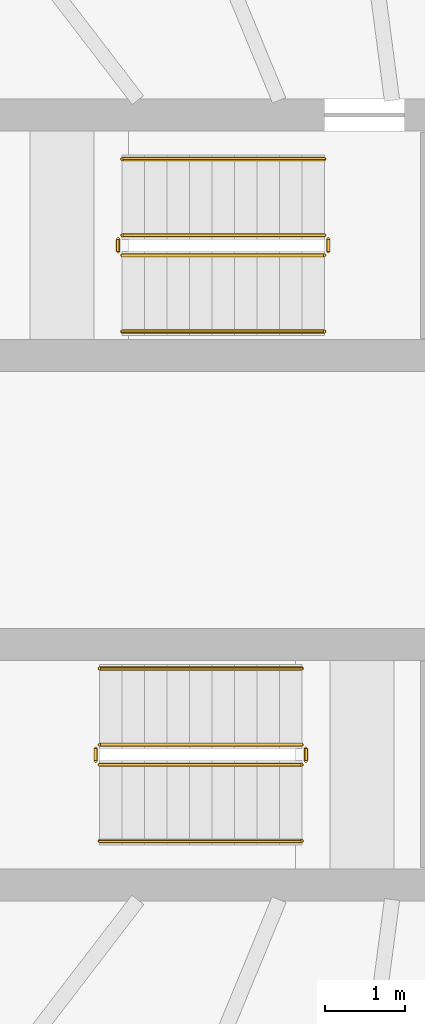
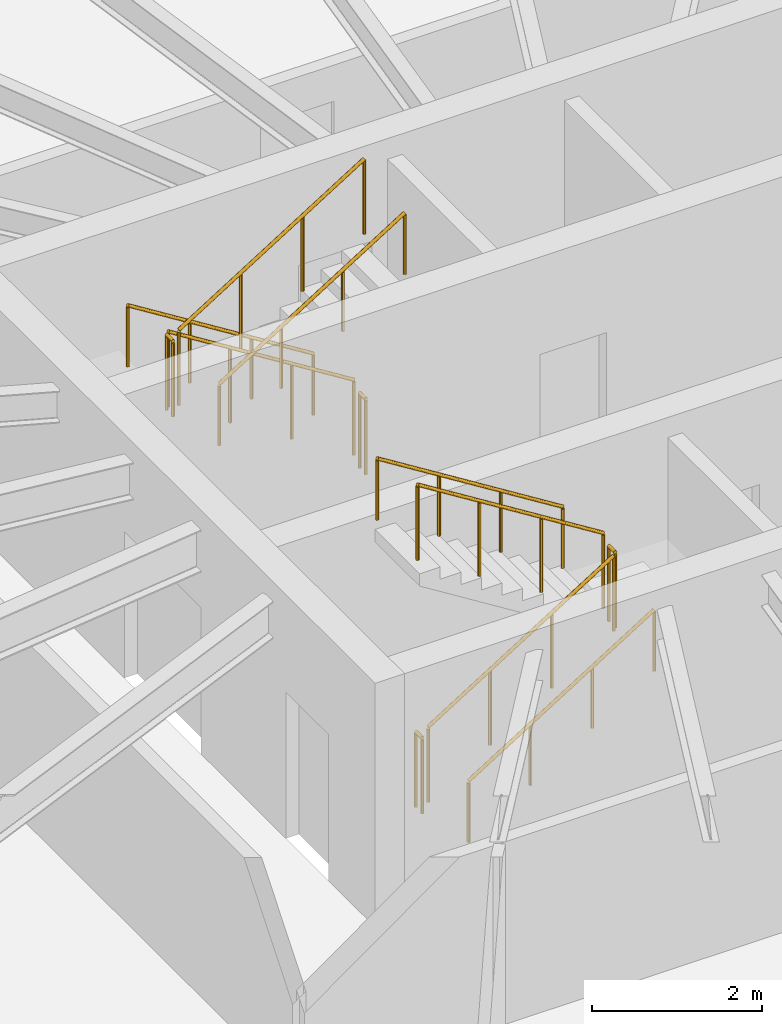
# One storey, part 9 of 9: 12 railings.
"""IFC4 building model written with IfcOpenShell, lengths in metres."""

from ifc_helpers import new_model, si_unit, direction, frame, origin, origin_2d, place, context, subcontext, project, spatial, circle, extrude, material, type_object, element, save


model = new_model("IFC4")

# Units and contexts
model_context = context("Model", 3, precision=1e-05, world=origin(), true_north=direction((0.0, 1.0)))
body_context = subcontext(model_context, "Body", "Model", "MODEL_VIEW")
ifc_project = project(units=[si_unit("LENGTHUNIT", "METRE"), si_unit("AREAUNIT", "SQUARE_METRE"), si_unit("VOLUMEUNIT", "CUBIC_METRE"), si_unit("PLANEANGLEUNIT", "RADIAN"), si_unit("MASSUNIT", "GRAM", prefix="KILO")], contexts=[model_context])

# Site, building, storey
site_placement = place(None, origin())
site = spatial("IfcSite", under=ifc_project, at=site_placement, CompositionType="ELEMENT")
building_placement = place(site_placement, origin())
building = spatial("IfcBuilding", under=site, at=building_placement, Name="Spindrift Exchange Tower", CompositionType="ELEMENT")
storey_placement = place(building_placement, frame((0.0, 0.0, 273.10009765625)))
storey = spatial("IfcBuildingStorey", under=building, at=storey_placement, Name="L67", CompositionType="ELEMENT", Elevation=273.10009765625)

# Railings
ifc_material_1 = material(Name="Steel balustrade", Category="steel")
railing_type_1 = type_object("IfcRailingType", Name="RL-STAIR-GUARD", PredefinedType="GUARDRAIL", material=ifc_material_1)
railing_1_placement = place(storey_placement, frame((50.5, 51.300048828125, 0.1748046875)))
element("IfcRailing", 1, at=railing_1_placement, inside=storey, type_object=railing_type_1, Name="L67 ST3 stair guard 1", PredefinedType="GUARDRAIL", context=body_context, shape_type="SweptSolid", body=[
    extrude(circle(Radius=0.02392578125, at=origin_2d()), frame((0.0, 0.0, 1.076171875), z_axis=(-0.847970611238, 0.0, 0.530043245855), x_axis=(0.0, -1.0, 0.0)), (0.0, 0.0, 1.0), 2.971923828125),
    extrude(circle(Radius=0.02099609375, at=origin_2d()), origin(), (0.0, 0.0, 1.0), 1.052001953125),
    extrude(circle(Radius=0.02099609375, at=origin_2d()), frame((-0.840087890625, 0.0, 0.525146484375)), (0.0, 0.0, 1.0), 1.052001953125),
    extrude(circle(Radius=0.02099609375, at=origin_2d()), frame((-1.679931640625, 0.0, 1.050048828125)), (0.0, 0.0, 1.0), 1.052001953125),
    extrude(circle(Radius=0.02099609375, at=origin_2d()), frame((-2.52001953125, 0.0, 1.5751953125)), (0.0, 0.0, 1.0), 1.052001953125),
])
railing_2_placement = place(storey_placement, frame((47.929931640625, 51.25, 1.75)))
element("IfcRailing", 2, at=railing_2_placement, inside=storey, type_object=railing_type_1, Name="L67 ST3 stair guard 2", PredefinedType="GUARDRAIL", context=body_context, shape_type="SweptSolid", body=[
    extrude(circle(Radius=0.02392578125, at=origin_2d()), frame((0.0, 0.0, 1.076171875), z_axis=(0.0, -1.0, 0.0), x_axis=(1.0, 0.0, 0.0)), (0.0, 0.0, 1.0), 0.14990234375),
    extrude(circle(Radius=0.02099609375, at=origin_2d()), origin(), (0.0, 0.0, 1.0), 1.052001953125),
    extrude(circle(Radius=0.02099609375, at=origin_2d()), frame((0.0, -0.14990234375, 0.0)), (0.0, 0.0, 1.0), 1.052001953125),
])
railing_3_placement = place(storey_placement, frame((47.97998046875, 51.050048828125, 1.9248046875)))
element("IfcRailing", 3, at=railing_3_placement, inside=storey, type_object=railing_type_1, Name="L67 ST3 stair guard 3", PredefinedType="GUARDRAIL", context=body_context, shape_type="SweptSolid", body=[
    extrude(circle(Radius=0.02392578125, at=origin_2d()), frame((0.0, 0.0, 1.076171875), z_axis=(0.847970611238, 0.0, 0.530043245855), x_axis=(0.0, 1.0, 0.0)), (0.0, 0.0, 1.0), 2.971923828125),
    extrude(circle(Radius=0.02099609375, at=origin_2d()), origin(), (0.0, 0.0, 1.0), 1.052001953125),
    extrude(circle(Radius=0.02099609375, at=origin_2d()), frame((0.840087890625, 0.0, 0.525146484375)), (0.0, 0.0, 1.0), 1.052001953125),
    extrude(circle(Radius=0.02099609375, at=origin_2d()), frame((1.679931640625, 0.0, 1.050048828125)), (0.0, 0.0, 1.0), 1.052001953125),
    extrude(circle(Radius=0.02099609375, at=origin_2d()), frame((2.52001953125, 0.0, 1.5751953125)), (0.0, 0.0, 1.0), 1.052001953125),
])
railing_4_placement = place(storey_placement, frame((50.550048828125, 51.25, 0.0)))
element("IfcRailing", 4, at=railing_4_placement, inside=storey, type_object=railing_type_1, Name="L67 ST3 stair guard 4", PredefinedType="GUARDRAIL", context=body_context, shape_type="SweptSolid", body=[
    extrude(circle(Radius=0.02392578125, at=origin_2d()), frame((0.0, 0.0, 1.076171875), z_axis=(0.0, -1.0, 0.0), x_axis=(1.0, 0.0, 0.0)), (0.0, 0.0, 1.0), 0.14990234375),
    extrude(circle(Radius=0.02099609375, at=origin_2d()), origin(), (0.0, 0.0, 1.0), 1.052001953125),
    extrude(circle(Radius=0.02099609375, at=origin_2d()), frame((0.0, -0.14990234375, 0.0)), (0.0, 0.0, 1.0), 1.052001953125),
])
railing_5_placement = place(storey_placement, frame((47.699951171875, 44.699951171875, 0.1748046875)))
element("IfcRailing", 5, at=railing_5_placement, inside=storey, type_object=railing_type_1, Name="L67 ST4 stair guard 1", PredefinedType="GUARDRAIL", context=body_context, shape_type="SweptSolid", body=[
    extrude(circle(Radius=0.02392578125, at=origin_2d()), frame((0.0, 0.0, 1.076171875), z_axis=(0.847970611238, 0.0, 0.530043245855), x_axis=(0.0, 1.0, 0.0)), (0.0, 0.0, 1.0), 2.971923828125),
    extrude(circle(Radius=0.02099609375, at=origin_2d()), origin(), (0.0, 0.0, 1.0), 1.052001953125),
    extrude(circle(Radius=0.02099609375, at=origin_2d()), frame((0.840087890625, 0.0, 0.525146484375)), (0.0, 0.0, 1.0), 1.052001953125),
    extrude(circle(Radius=0.02099609375, at=origin_2d()), frame((1.679931640625, 0.0, 1.050048828125)), (0.0, 0.0, 1.0), 1.052001953125),
    extrude(circle(Radius=0.02099609375, at=origin_2d()), frame((2.52001953125, 0.0, 1.5751953125)), (0.0, 0.0, 1.0), 1.052001953125),
])
railing_6_placement = place(storey_placement, frame((50.27001953125, 44.75, 1.75)))
element("IfcRailing", 6, at=railing_6_placement, inside=storey, type_object=railing_type_1, Name="L67 ST4 stair guard 2", PredefinedType="GUARDRAIL", context=body_context, shape_type="SweptSolid", body=[
    extrude(circle(Radius=0.02392578125, at=origin_2d()), frame((0.0, 0.0, 1.076171875), z_axis=(0.0, 1.0, 0.0), x_axis=(-1.0, 0.0, 0.0)), (0.0, 0.0, 1.0), 0.14990234375),
    extrude(circle(Radius=0.02099609375, at=origin_2d()), origin(), (0.0, 0.0, 1.0), 1.052001953125),
    extrude(circle(Radius=0.02099609375, at=origin_2d()), frame((0.0, 0.14990234375, 0.0)), (0.0, 0.0, 1.0), 1.052001953125),
])
railing_7_placement = place(storey_placement, frame((50.219970703125, 44.949951171875, 1.9248046875)))
element("IfcRailing", 7, at=railing_7_placement, inside=storey, type_object=railing_type_1, Name="L67 ST4 stair guard 3", PredefinedType="GUARDRAIL", context=body_context, shape_type="SweptSolid", body=[
    extrude(circle(Radius=0.02392578125, at=origin_2d()), frame((0.0, 0.0, 1.076171875), z_axis=(-0.847970611238, 0.0, 0.530043245855), x_axis=(0.0, -1.0, 0.0)), (0.0, 0.0, 1.0), 2.971923828125),
    extrude(circle(Radius=0.02099609375, at=origin_2d()), origin(), (0.0, 0.0, 1.0), 1.052001953125),
    extrude(circle(Radius=0.02099609375, at=origin_2d()), frame((-0.840087890625, 0.0, 0.525146484375)), (0.0, 0.0, 1.0), 1.052001953125),
    extrude(circle(Radius=0.02099609375, at=origin_2d()), frame((-1.679931640625, 0.0, 1.050048828125)), (0.0, 0.0, 1.0), 1.052001953125),
    extrude(circle(Radius=0.02099609375, at=origin_2d()), frame((-2.52001953125, 0.0, 1.5751953125)), (0.0, 0.0, 1.0), 1.052001953125),
])
railing_8_placement = place(storey_placement, frame((47.64990234375, 44.75, 0.0)))
element("IfcRailing", 8, at=railing_8_placement, inside=storey, type_object=railing_type_1, Name="L67 ST4 stair guard 4", PredefinedType="GUARDRAIL", context=body_context, shape_type="SweptSolid", body=[
    extrude(circle(Radius=0.02392578125, at=origin_2d()), frame((0.0, 0.0, 1.076171875), z_axis=(0.0, 1.0, 0.0), x_axis=(-1.0, 0.0, 0.0)), (0.0, 0.0, 1.0), 0.14990234375),
    extrude(circle(Radius=0.02099609375, at=origin_2d()), origin(), (0.0, 0.0, 1.0), 1.052001953125),
    extrude(circle(Radius=0.02099609375, at=origin_2d()), frame((0.0, 0.14990234375, 0.0)), (0.0, 0.0, 1.0), 1.052001953125),
])
ifc_material_2 = material(Name="Steel tubular handrail", Category="steel")
railing_type_2 = type_object("IfcRailingType", Name="RL-STAIR-HAND", PredefinedType="HANDRAIL", material=ifc_material_2)
railing_9_placement = place(storey_placement, frame((50.5, 52.25, 0.1748046875)))
element("IfcRailing", 9, at=railing_9_placement, inside=storey, type_object=railing_type_2, Name="L67 ST3 stair handrail 1", PredefinedType="HANDRAIL", context=body_context, shape_type="SweptSolid", body=[
    extrude(circle(Radius=0.02392578125, at=origin_2d()), frame((0.0, 0.0, 0.8759765625), z_axis=(-0.847970611238, 0.0, 0.530043245855), x_axis=(0.0, -1.0, 0.0)), (0.0, 0.0, 1.0), 2.971923828125),
    extrude(circle(Radius=0.02099609375, at=origin_2d()), origin(), (0.0, 0.0, 1.0), 0.851806640625),
    extrude(circle(Radius=0.02099609375, at=origin_2d()), frame((-0.840087890625, 0.0, 0.525146484375)), (0.0, 0.0, 1.0), 0.851806640625),
    extrude(circle(Radius=0.02099609375, at=origin_2d()), frame((-1.679931640625, 0.0, 1.050048828125)), (0.0, 0.0, 1.0), 0.851806640625),
    extrude(circle(Radius=0.02099609375, at=origin_2d()), frame((-2.52001953125, 0.0, 1.5751953125)), (0.0, 0.0, 1.0), 0.851806640625),
])
for number, where, name in (
    (10, (47.97998046875, 50.10009765625, 1.9248046875), "L67 ST3 stair handrail 2"),
    (11, (47.699951171875, 43.75, 0.1748046875), "L67 ST4 stair handrail 1"),
):
    element("IfcRailing", number, at=place(storey_placement, frame(where)), inside=storey, type_object=railing_type_2, Name=name, PredefinedType="HANDRAIL", context=body_context, shape_type="SweptSolid", body=[
        extrude(circle(Radius=0.02392578125, at=origin_2d()), frame((0.0, 0.0, 0.8759765625), z_axis=(0.847970611238, 0.0, 0.530043245855), x_axis=(0.0, 1.0, 0.0)), (0.0, 0.0, 1.0), 2.971923828125),
        extrude(circle(Radius=0.02099609375, at=origin_2d()), origin(), (0.0, 0.0, 1.0), 0.851806640625),
        extrude(circle(Radius=0.02099609375, at=origin_2d()), frame((0.840087890625, 0.0, 0.525146484375)), (0.0, 0.0, 1.0), 0.851806640625),
        extrude(circle(Radius=0.02099609375, at=origin_2d()), frame((1.679931640625, 0.0, 1.050048828125)), (0.0, 0.0, 1.0), 0.851806640625),
        extrude(circle(Radius=0.02099609375, at=origin_2d()), frame((2.52001953125, 0.0, 1.5751953125)), (0.0, 0.0, 1.0), 0.851806640625),
    ])
railing_10_placement = place(storey_placement, frame((50.219970703125, 45.89990234375, 1.9248046875)))
element("IfcRailing", 12, at=railing_10_placement, inside=storey, type_object=railing_type_2, Name="L67 ST4 stair handrail 2", PredefinedType="HANDRAIL", context=body_context, shape_type="SweptSolid", body=[
    extrude(circle(Radius=0.02392578125, at=origin_2d()), frame((0.0, 0.0, 0.8759765625), z_axis=(-0.847970611238, 0.0, 0.530043245855), x_axis=(0.0, -1.0, 0.0)), (0.0, 0.0, 1.0), 2.971923828125),
    extrude(circle(Radius=0.02099609375, at=origin_2d()), origin(), (0.0, 0.0, 1.0), 0.851806640625),
    extrude(circle(Radius=0.02099609375, at=origin_2d()), frame((-0.840087890625, 0.0, 0.525146484375)), (0.0, 0.0, 1.0), 0.851806640625),
    extrude(circle(Radius=0.02099609375, at=origin_2d()), frame((-1.679931640625, 0.0, 1.050048828125)), (0.0, 0.0, 1.0), 0.851806640625),
    extrude(circle(Radius=0.02099609375, at=origin_2d()), frame((-2.52001953125, 0.0, 1.5751953125)), (0.0, 0.0, 1.0), 0.851806640625),
])

save(model, "model.ifc")
